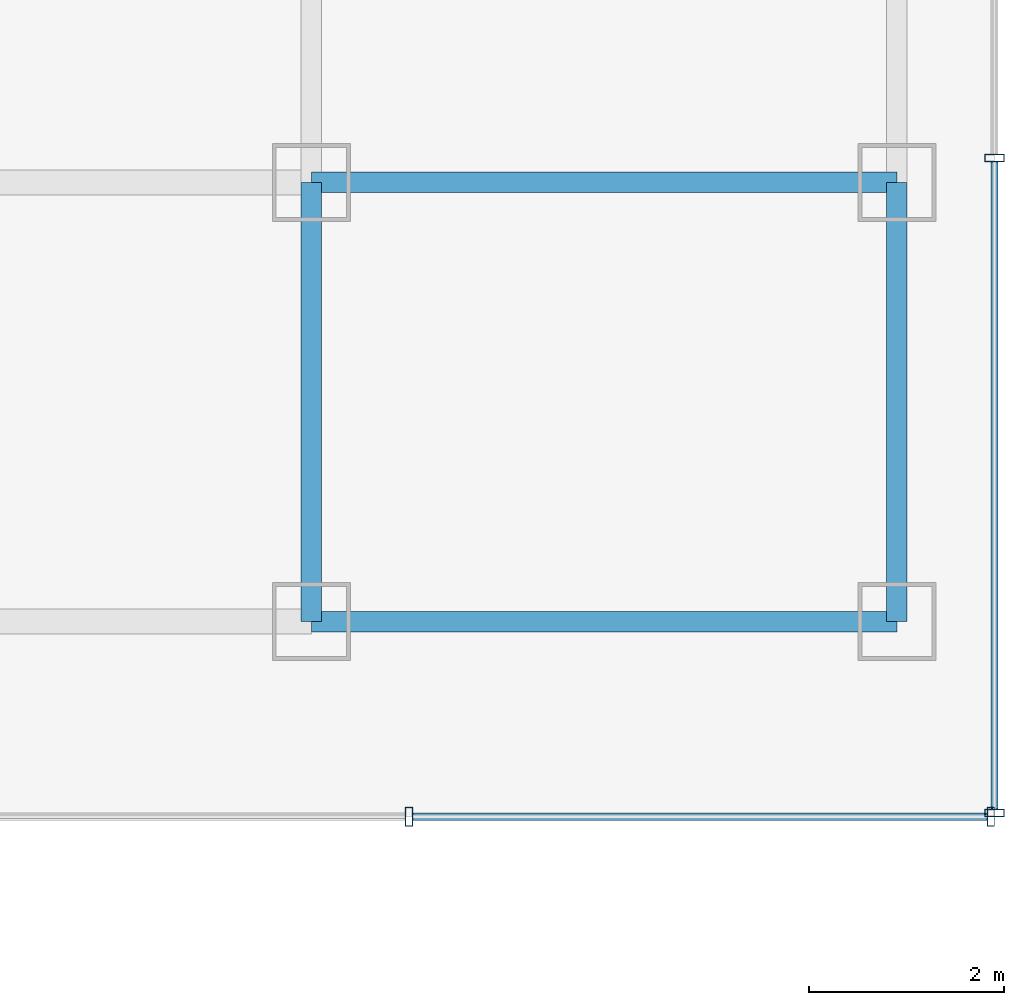
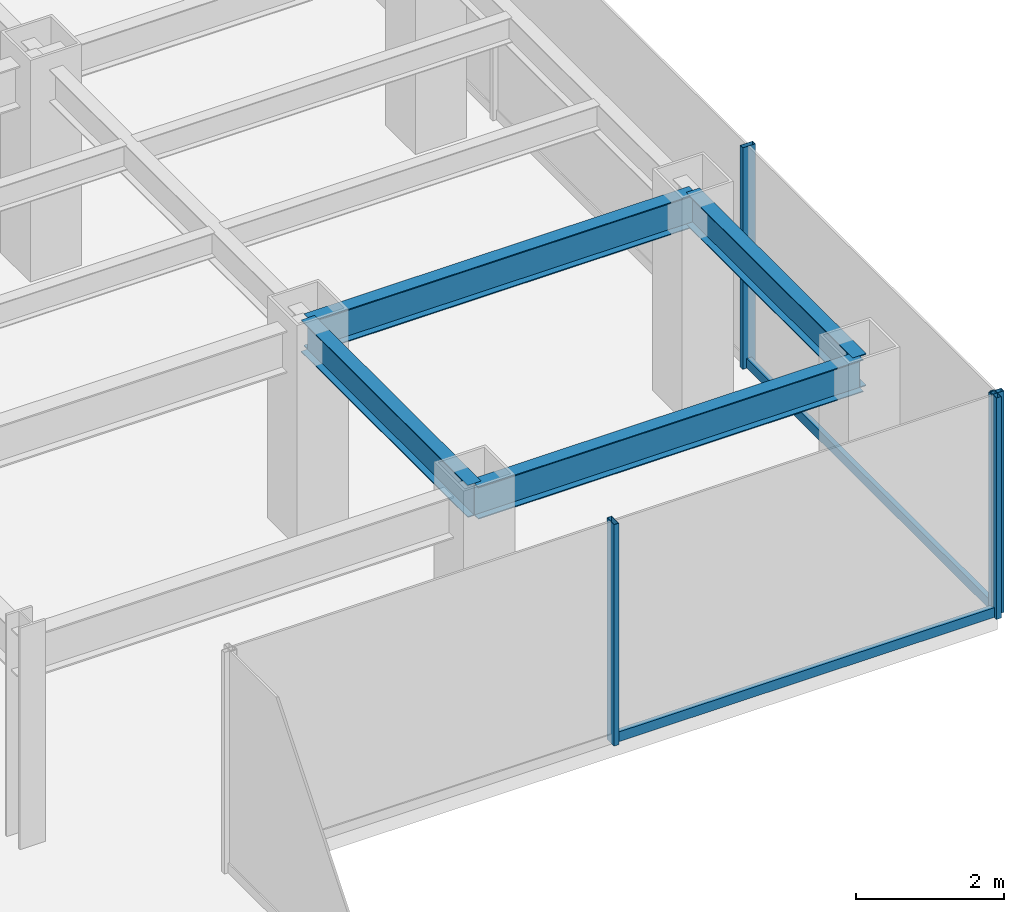
# One storey, part 10 of 26: 6 members, 4 beams, 2 elements without a shape of their own.
"""IFC4 building model written with IfcOpenShell, lengths in metres."""

from ifc_helpers import new_model, si_unit, derived_unit, direction, frame, origin, origin_2d, place, context, subcontext, project, spatial, hollow_rectangle, i_section, extrude, source, transform, mapped, material, material_profile, profile_set, type_object, element, aggregate, save


model = new_model("IFC4")

# Units and contexts
model_context = context("Model", 3, precision=1e-05, world=origin(), true_north=direction((0.0, 1.0)))
body_context = subcontext(model_context, "Body", "Model", "MODEL_VIEW")
ifc_project = project(units=[si_unit("LENGTHUNIT", "METRE"), si_unit("AREAUNIT", "SQUARE_METRE"), si_unit("VOLUMEUNIT", "CUBIC_METRE"), si_unit("PLANEANGLEUNIT", "RADIAN"), si_unit("MASSUNIT", "GRAM", prefix="KILO"), derived_unit("THERMALTRANSMITTANCEUNIT", [(si_unit("POWERUNIT", "WATT"), 1), (si_unit("LENGTHUNIT", "METRE"), -2), (si_unit("THERMODYNAMICTEMPERATUREUNIT", "KELVIN"), -1)])], contexts=[model_context])

# Site, building, storey
site_placement = place(None, origin())
site = spatial("IfcSite", under=ifc_project, at=site_placement, CompositionType="ELEMENT")
building_placement = place(site_placement, origin())
building = spatial("IfcBuilding", under=site, at=building_placement, Name="Skarnbrae Concourse Arena and Tower", CompositionType="ELEMENT")
storey_placement = place(building_placement, frame((0.0, 0.0, 99.60009765625)))
storey = spatial("IfcBuildingStorey", under=building, at=storey_placement, Name="L24", CompositionType="ELEMENT", Elevation=99.60009765625)

# Beams
ifc_material_1 = material(Name="Steel CSA G40.21 350W", Category="steel")
ifc_material_profile_1 = material_profile(ifc_material_1, i_section(OverallWidth=0.208984375, OverallDepth=0.532958984375, WebThickness=0.01025390625, FlangeThickness=0.015625, at=origin_2d()), Name="W530X92")
ifc_profile_set_1 = profile_set([ifc_material_profile_1], Name="Steel CSA G40.21 350W")
beam_type = type_object("IfcBeamType", Name="BM-SPAN-W530X92", PredefinedType="SPANDREL", material=ifc_profile_set_1)
shared_shape_1 = source(origin(), body_context, "Body", "SweptSolid", [
    extrude(i_section(OverallWidth=0.208984375, OverallDepth=0.532958984375, WebThickness=0.01025390625, FlangeThickness=0.015625, at=origin_2d()), origin(), (0.0, 0.0, 1.0), 6.0),
])
for number, where, z_axis, x_axis, name in (
    (1, (49.0, 9.5, 3.13330078125), (1.0, 0.0, 0.0), (0.0, 1.0, 0.0), "L24 Perimeter spandrel Y9.5-3"),
    (2, (49.0, 14.0, 3.13330078125), (1.0, 0.0, 0.0), (0.0, 1.0, 0.0), "L24 Perimeter spandrel Y14.0-8"),
):
    element("IfcBeam", number, at=place(storey_placement, frame(where, z_axis=z_axis, x_axis=x_axis)), inside=storey, type_object=beam_type, Name=name, PredefinedType="SPANDREL", context=body_context, shape_type="MappedRepresentation", body=[
        mapped(shared_shape_1, transform((0.0, 0.0, 0.0))),
    ])
shared_shape_2 = source(origin(), body_context, "Body", "SweptSolid", [
    extrude(i_section(OverallWidth=0.208984375, OverallDepth=0.532958984375, WebThickness=0.01025390625, FlangeThickness=0.015625, at=origin_2d()), origin(), (0.0, 0.0, 1.0), 4.5),
])
for number, where, z_axis, x_axis, name in (
    (3, (49.0, 9.5, 3.13330078125), (0.0, 1.0, 0.0), (-1.0, 0.0, 0.0), "L24 Perimeter spandrel X49.0-1"),
    (4, (55.0, 9.5, 3.13330078125), (0.0, 1.0, 0.0), (-1.0, 0.0, 0.0), "L24 Perimeter spandrel X55.0-1"),
):
    element("IfcBeam", number, at=place(storey_placement, frame(where, z_axis=z_axis, x_axis=x_axis)), inside=storey, type_object=beam_type, Name=name, PredefinedType="SPANDREL", context=body_context, shape_type="MappedRepresentation", body=[
        mapped(shared_shape_2, transform((0.0, 0.0, 0.0))),
    ])

# Curtain wall, members
ifc_material_2 = material(Name="Bronze anodised aluminium 6063-T6", Category="aluminium")
curtain_wall_type = type_object("IfcCurtainWallType", Name="CW-SYS-04-MIDZONE", PredefinedType="USERDEFINED", material=ifc_material_2)
curtain_wall_1_placement = place(storey_placement, origin())
curtain_wall_1 = element("IfcCurtainWall", 5, at=curtain_wall_1_placement, inside=storey, type_object=curtain_wall_type, Name="L24 Unitised curtain wall CW-L24-E03", ObjectType="UNITISED CURTAIN WALL", PredefinedType="USERDEFINED")
ifc_material_profile_2 = material_profile(ifc_material_2, hollow_rectangle(XDim=0.074951171875, YDim=0.159912109375, WallThickness=0.00439453125, at=origin_2d()), Name="ALU-TRAN-75X160")
ifc_profile_set_2 = profile_set([ifc_material_profile_2], Name="Bronze anodised aluminium 6063-T6")
member_type_1 = type_object("IfcMemberType", Name="CWT-CW-04", PredefinedType="USERDEFINED", material=ifc_profile_set_2)
shared_shape_3 = source(origin(), body_context, "Body", "SweptSolid", [
    extrude(hollow_rectangle(XDim=0.074951171875, YDim=0.159912109375, WallThickness=0.00439453125, at=origin_2d()), origin(), (0.0, 0.0, 1.0), 5.887451171875),
])
member_1_placement = place(storey_placement, frame((50.03759765625, 7.5, 0.079833984375), z_axis=(1.0, 0.0, 0.0), x_axis=(0.0, 1.0, 0.0)))
member_1 = element("IfcMember", 6, at=member_1_placement, type_object=member_type_1, Name="CW-L24-E03 Transom 2", ObjectType="TRANSOM", PredefinedType="USERDEFINED", context=body_context, shape_type="MappedRepresentation", body=[
    mapped(shared_shape_3, transform((0.0, 0.0, 0.0))),
])
ifc_material_profile_3 = material_profile(ifc_material_2, hollow_rectangle(XDim=0.074951171875, YDim=0.195068359375, WallThickness=0.00439453125, at=origin_2d()), Name="ALU-MULL-75X195")
ifc_profile_set_3 = profile_set([ifc_material_profile_3], Name="Bronze anodised aluminium 6063-T6")
member_type_2 = type_object("IfcMemberType", Name="CWM-CW-04", PredefinedType="MULLION", material=ifc_profile_set_3)
shared_shape_4 = source(origin(), body_context, "Body", "SweptSolid", [
    extrude(hollow_rectangle(XDim=0.074951171875, YDim=0.195068359375, WallThickness=0.00439453125, at=origin_2d()), origin(), (0.0, 0.0, 1.0), 3.64990234375),
])
member_2_placement = place(storey_placement, frame((50.0, 7.5, 0.0), z_axis=(0.0, 0.0, 1.0), x_axis=(1.0, 0.0, 0.0)))
member_2 = element("IfcMember", 7, at=member_2_placement, type_object=member_type_2, Name="CW-L24-E03 Mullion 2", PredefinedType="MULLION", context=body_context, shape_type="MappedRepresentation", body=[
    mapped(shared_shape_4, transform((0.0, 0.0, 0.0))),
])
member_3_placement = place(storey_placement, frame((55.96240234375, 7.5, 0.0), z_axis=(0.0, 0.0, 1.0), x_axis=(1.0, 0.0, 0.0)))
member_3 = element("IfcMember", 8, at=member_3_placement, type_object=member_type_2, Name="CW-L24-E03 Mullion 3", PredefinedType="MULLION", context=body_context, shape_type="MappedRepresentation", body=[
    mapped(shared_shape_4, transform((0.0, 0.0, 0.0))),
])
aggregate(curtain_wall_1, [member_2, member_3, member_1])

curtain_wall_2_placement = place(storey_placement, origin())
curtain_wall_2 = element("IfcCurtainWall", 9, at=curtain_wall_2_placement, inside=storey, type_object=curtain_wall_type, Name="L24 Unitised curtain wall CW-L24-E04", ObjectType="UNITISED CURTAIN WALL", PredefinedType="USERDEFINED")
member_4_placement = place(storey_placement, frame((56.0, 7.53759765625, 0.0), z_axis=(0.0, 0.0, 1.0), x_axis=(0.0, 1.0, 0.0)))
member_4 = element("IfcMember", 10, at=member_4_placement, type_object=member_type_2, Name="CW-L24-E04 Mullion 1", PredefinedType="MULLION", context=body_context, shape_type="MappedRepresentation", body=[
    mapped(shared_shape_4, transform((0.0, 0.0, 0.0))),
])
member_5_placement = place(storey_placement, frame((56.0, 14.25, 0.0), z_axis=(0.0, 0.0, 1.0), x_axis=(0.0, 1.0, 0.0)))
member_5 = element("IfcMember", 11, at=member_5_placement, type_object=member_type_2, Name="CW-L24-E04 Mullion 2", PredefinedType="MULLION", context=body_context, shape_type="MappedRepresentation", body=[
    mapped(shared_shape_4, transform((0.0, 0.0, 0.0))),
])
shared_shape_5 = source(origin(), body_context, "Body", "SweptSolid", [
    extrude(hollow_rectangle(XDim=0.074951171875, YDim=0.159912109375, WallThickness=0.00439453125, at=origin_2d()), origin(), (0.0, 0.0, 1.0), 6.637451171875),
])
member_6_placement = place(storey_placement, frame((56.0, 7.574951171875, 0.079833984375), z_axis=(0.0, 1.0, 0.0), x_axis=(-1.0, 0.0, 0.0)))
member_6 = element("IfcMember", 12, at=member_6_placement, type_object=member_type_1, Name="CW-L24-E04 Transom 1", ObjectType="TRANSOM", PredefinedType="USERDEFINED", context=body_context, shape_type="MappedRepresentation", body=[
    mapped(shared_shape_5, transform((0.0, 0.0, 0.0))),
])
aggregate(curtain_wall_2, [member_4, member_5, member_6])

save(model, "model.ifc")
